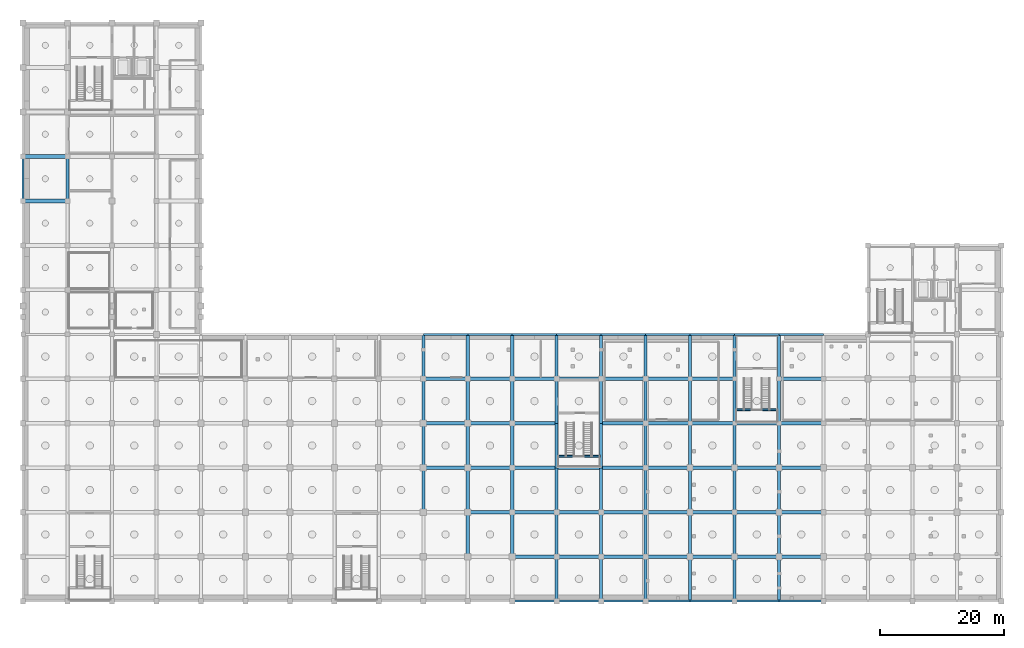
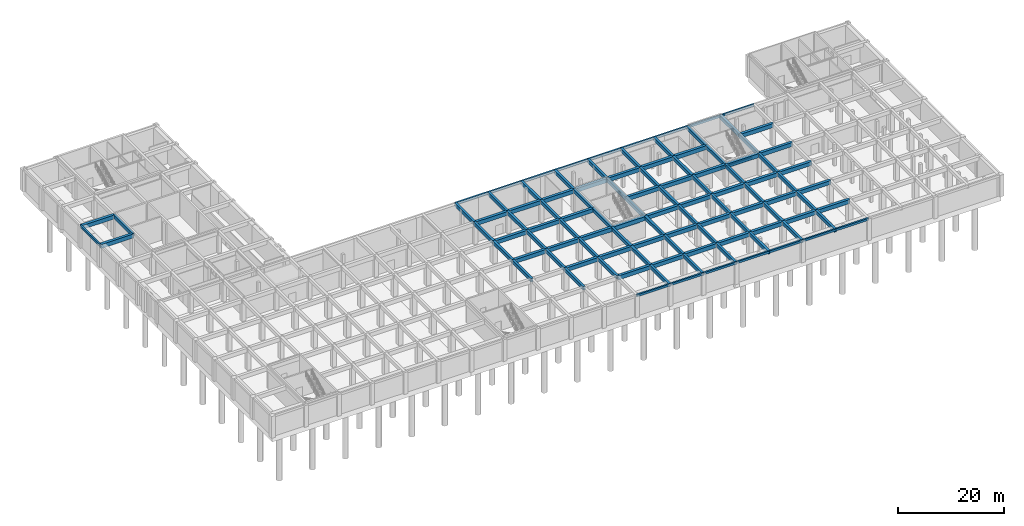
# One storey, part 4 of 15: 112 beams.
"""IFC4 building model written with IfcOpenShell, lengths in metres."""

from ifc_helpers import new_model, si_unit, direction, frame, origin, origin_2d, place, context, subcontext, project, spatial, rectangle, extrude, material, material_profile, profile_set, type_object, element, save


model = new_model("IFC4")

# Units and contexts
model_context = context("Model", 3, precision=1e-05, world=origin(), true_north=direction((0.0, 1.0)))
body_context = subcontext(model_context, "Body", "Model", "MODEL_VIEW")
ifc_project = project(units=[si_unit("LENGTHUNIT", "METRE"), si_unit("AREAUNIT", "SQUARE_METRE"), si_unit("VOLUMEUNIT", "CUBIC_METRE"), si_unit("PLANEANGLEUNIT", "RADIAN"), si_unit("MASSUNIT", "GRAM", prefix="KILO")], contexts=[model_context])

# Site, building, storey
site_placement = place(None, origin())
site = spatial("IfcSite", under=ifc_project, at=site_placement, CompositionType="ELEMENT")
building_placement = place(site_placement, origin())
building = spatial("IfcBuilding", under=site, at=building_placement, Name="Leyfeld Transit Interchange", CompositionType="ELEMENT")
storey_placement = place(building_placement, frame((0.0, 0.0, -10.800048828125)))
storey = spatial("IfcBuildingStorey", under=building, at=storey_placement, Name="B02", CompositionType="ELEMENT", Elevation=-10.800048828125)

# Beams
ifc_material = material(Name="Concrete C35/45", Category="concrete")
ifc_material_profile_1 = material_profile(ifc_material, rectangle(XDim=0.300048828125, YDim=0.39990234375, at=origin_2d()), Name="RC 400x300")
ifc_profile_set_1 = profile_set([ifc_material_profile_1], Name="Concrete C35/45")
beam_type_1 = type_object("IfcBeamType", Name="BM-RC-400x300", PredefinedType="LINTEL", material=ifc_profile_set_1)
beam_1_placement = place(storey_placement, frame((86.56005859375, 37.860107421875, 2.5), z_axis=(1.0, 0.0, 0.0), x_axis=(0.0, 1.0, 0.0)))
element("IfcBeam", 1, at=beam_1_placement, inside=storey, type_object=beam_type_1, Name="Stair ST-07 B02 Half-Landing Corbel", PredefinedType="LINTEL", context=body_context, shape_type="SweptSolid", body=[
    extrude(rectangle(XDim=0.300048828125, YDim=0.39990234375, at=origin_2d()), origin(), (0.0, 0.0, 1.0), 6.8798828125),
])
beam_2_placement = place(storey_placement, frame((115.385009765625, 45.39990234375, 2.5), z_axis=(1.0, 0.0, 0.0), x_axis=(0.0, 1.0, 0.0)))
element("IfcBeam", 2, at=beam_2_placement, inside=storey, type_object=beam_type_1, Name="Stair ST-09 B02 Half-Landing Corbel", PredefinedType="LINTEL", context=body_context, shape_type="SweptSolid", body=[
    extrude(rectangle(XDim=0.300048828125, YDim=0.39990234375, at=origin_2d()), origin(), (0.0, 0.0, 1.0), 6.830078125),
])
ifc_material_profile_2 = material_profile(ifc_material, rectangle(XDim=0.35009765625, YDim=0.5, at=origin_2d()), Name="RC 500x350")
ifc_profile_set_2 = profile_set([ifc_material_profile_2], Name="Concrete C35/45")
beam_type_2 = type_object("IfcBeamType", Name="BM-RC-500x350", PredefinedType="SPANDREL", material=ifc_profile_set_2)
beam_3_placement = place(storey_placement, frame((79.199951171875, 14.39990234375, 4.75), z_axis=(1.0, 0.0, 0.0), x_axis=(0.0, 1.0, 0.0)))
element("IfcBeam", 3, at=beam_3_placement, inside=storey, type_object=beam_type_2, Name="Beam BM-B02-0792_0144-0864_0144", PredefinedType="SPANDREL", context=body_context, shape_type="SweptSolid", body=[
    extrude(rectangle(XDim=0.35009765625, YDim=0.5, at=origin_2d()), origin(), (0.0, 0.0, 1.0), 7.199951171875),
])
beam_4_placement = place(storey_placement, frame((86.39990234375, 14.39990234375, 4.75), z_axis=(1.0, 0.0, 0.0), x_axis=(0.0, 1.0, 0.0)))
element("IfcBeam", 4, at=beam_4_placement, inside=storey, type_object=beam_type_2, Name="Beam BM-B02-0864_0144-0936_0144", PredefinedType="SPANDREL", context=body_context, shape_type="SweptSolid", body=[
    extrude(rectangle(XDim=0.35009765625, YDim=0.5, at=origin_2d()), origin(), (0.0, 0.0, 1.0), 7.2001953125),
])
for number, where, z_axis, x_axis, name in (
    (5, (93.60009765625, 14.39990234375, 4.75), (1.0, 0.0, 0.0), (0.0, 1.0, 0.0), "Beam BM-B02-0936_0144-1008_0144"),
    (6, (100.800048828125, 14.39990234375, 4.75), (1.0, 0.0, 0.0), (0.0, 1.0, 0.0), "Beam BM-B02-1008_0144-1080_0144"),
    (7, (108.0, 14.39990234375, 4.75), (1.0, 0.0, 0.0), (0.0, 1.0, 0.0), "Beam BM-B02-1080_0144-1152_0144"),
    (8, (115.199951171875, 14.39990234375, 4.75), (1.0, 0.0, 0.0), (0.0, 1.0, 0.0), "Beam BM-B02-1152_0144-1224_0144"),
):
    element("IfcBeam", number, at=place(storey_placement, frame(where, z_axis=z_axis, x_axis=x_axis)), inside=storey, type_object=beam_type_2, Name=name, PredefinedType="SPANDREL", context=body_context, shape_type="SweptSolid", body=[
        extrude(rectangle(XDim=0.35009765625, YDim=0.5, at=origin_2d()), origin(), (0.0, 0.0, 1.0), 7.199951171875),
    ])
beam_5_placement = place(storey_placement, frame((122.39990234375, 14.39990234375, 4.75), z_axis=(1.0, 0.0, 0.0), x_axis=(0.0, 1.0, 0.0)))
element("IfcBeam", 9, at=beam_5_placement, inside=storey, type_object=beam_type_2, Name="Beam BM-B02-1224_0144-1296_0144", PredefinedType="SPANDREL", context=body_context, shape_type="SweptSolid", body=[
    extrude(rectangle(XDim=0.35009765625, YDim=0.5, at=origin_2d()), origin(), (0.0, 0.0, 1.0), 7.2001953125),
])
for number, where, z_axis, x_axis, name in (
    (10, (64.800048828125, 57.60009765625, 4.75), (1.0, 0.0, 0.0), (0.0, 1.0, 0.0), "Beam BM-B02-0648_0576-0720_0576"),
    (11, (72.0, 57.60009765625, 4.75), (1.0, 0.0, 0.0), (0.0, 1.0, 0.0), "Beam BM-B02-0720_0576-0792_0576"),
    (12, (79.199951171875, 57.60009765625, 4.75), (1.0, 0.0, 0.0), (0.0, 1.0, 0.0), "Beam BM-B02-0792_0576-0864_0576"),
):
    element("IfcBeam", number, at=place(storey_placement, frame(where, z_axis=z_axis, x_axis=x_axis)), inside=storey, type_object=beam_type_2, Name=name, PredefinedType="SPANDREL", context=body_context, shape_type="SweptSolid", body=[
        extrude(rectangle(XDim=0.35009765625, YDim=0.5, at=origin_2d()), origin(), (0.0, 0.0, 1.0), 7.199951171875),
    ])
beam_6_placement = place(storey_placement, frame((86.39990234375, 57.60009765625, 4.75), z_axis=(1.0, 0.0, 0.0), x_axis=(0.0, 1.0, 0.0)))
element("IfcBeam", 13, at=beam_6_placement, inside=storey, type_object=beam_type_2, Name="Beam BM-B02-0864_0576-0936_0576", PredefinedType="SPANDREL", context=body_context, shape_type="SweptSolid", body=[
    extrude(rectangle(XDim=0.35009765625, YDim=0.5, at=origin_2d()), origin(), (0.0, 0.0, 1.0), 7.2001953125),
])
for number, where, z_axis, x_axis, name in (
    (14, (93.60009765625, 57.60009765625, 4.75), (1.0, 0.0, 0.0), (0.0, 1.0, 0.0), "Beam BM-B02-0936_0576-1008_0576"),
    (15, (100.800048828125, 57.60009765625, 4.75), (1.0, 0.0, 0.0), (0.0, 1.0, 0.0), "Beam BM-B02-1008_0576-1080_0576"),
    (16, (108.0, 57.60009765625, 4.75), (1.0, 0.0, 0.0), (0.0, 1.0, 0.0), "Beam BM-B02-1080_0576-1152_0576"),
    (17, (115.199951171875, 57.60009765625, 4.75), (1.0, 0.0, 0.0), (0.0, 1.0, 0.0), "Beam BM-B02-1152_0576-1224_0576"),
):
    element("IfcBeam", number, at=place(storey_placement, frame(where, z_axis=z_axis, x_axis=x_axis)), inside=storey, type_object=beam_type_2, Name=name, PredefinedType="SPANDREL", context=body_context, shape_type="SweptSolid", body=[
        extrude(rectangle(XDim=0.35009765625, YDim=0.5, at=origin_2d()), origin(), (0.0, 0.0, 1.0), 7.199951171875),
    ])
beam_7_placement = place(storey_placement, frame((122.39990234375, 57.60009765625, 4.75), z_axis=(1.0, 0.0, 0.0), x_axis=(0.0, 1.0, 0.0)))
element("IfcBeam", 18, at=beam_7_placement, inside=storey, type_object=beam_type_2, Name="Beam BM-B02-1224_0576-1296_0576", PredefinedType="SPANDREL", context=body_context, shape_type="SweptSolid", body=[
    extrude(rectangle(XDim=0.35009765625, YDim=0.5, at=origin_2d()), origin(), (0.0, 0.0, 1.0), 7.2001953125),
])
beam_8_placement = place(storey_placement, frame((0.0, 79.199951171875, 4.77001953125), z_axis=(0.0, 1.0, 0.0), x_axis=(-1.0, 0.0, 0.0)))
element("IfcBeam", 19, at=beam_8_placement, inside=storey, type_object=beam_type_2, Name="Beam BM-B02-0000_0792-0000_0864", PredefinedType="SPANDREL", context=body_context, shape_type="SweptSolid", body=[
    extrude(rectangle(XDim=0.35009765625, YDim=0.5, at=origin_2d()), origin(), (0.0, 0.0, 1.0), 7.199951171875),
])
ifc_material_profile_3 = material_profile(ifc_material, rectangle(XDim=0.5, YDim=0.800048828125, at=origin_2d()), Name="RC 800x500")
ifc_profile_set_3 = profile_set([ifc_material_profile_3], Name="Concrete C35/45")
beam_type_3 = type_object("IfcBeamType", Name="BM-RC-800x500", PredefinedType="JOIST", material=ifc_profile_set_3)
for number, where, z_axis, x_axis, name in (
    (20, (64.800048828125, 28.800048828125, 4.60009765625), (0.0, 1.0, 0.0), (-1.0, 0.0, 0.0), "Beam BM-B02-0648_0288-0648_0360"),
    (21, (64.800048828125, 36.0, 4.60009765625), (0.0, 1.0, 0.0), (-1.0, 0.0, 0.0), "Beam BM-B02-0648_0360-0648_0432"),
    (22, (64.800048828125, 43.199951171875, 4.60009765625), (0.0, 1.0, 0.0), (-1.0, 0.0, 0.0), "Beam BM-B02-0648_0432-0648_0504"),
):
    element("IfcBeam", number, at=place(storey_placement, frame(where, z_axis=z_axis, x_axis=x_axis)), inside=storey, type_object=beam_type_3, Name=name, PredefinedType="JOIST", context=body_context, shape_type="SweptSolid", body=[
        extrude(rectangle(XDim=0.5, YDim=0.800048828125, at=origin_2d()), origin(), (0.0, 0.0, 1.0), 7.199951171875),
    ])
beam_9_placement = place(storey_placement, frame((64.800048828125, 50.39990234375, 4.60009765625), z_axis=(0.0, 1.0, 0.0), x_axis=(-1.0, 0.0, 0.0)))
element("IfcBeam", 23, at=beam_9_placement, inside=storey, type_object=beam_type_3, Name="Beam BM-B02-0648_0504-0648_0576", PredefinedType="JOIST", context=body_context, shape_type="SweptSolid", body=[
    extrude(rectangle(XDim=0.5, YDim=0.800048828125, at=origin_2d()), origin(), (0.0, 0.0, 1.0), 7.2001953125),
])
for number, where, z_axis, x_axis, name in (
    (24, (72.0, 21.60009765625, 4.60009765625), (0.0, 1.0, 0.0), (-1.0, 0.0, 0.0), "Beam BM-B02-0720_0216-0720_0288"),
    (25, (72.0, 28.800048828125, 4.60009765625), (0.0, 1.0, 0.0), (-1.0, 0.0, 0.0), "Beam BM-B02-0720_0288-0720_0360"),
    (26, (72.0, 36.0, 4.60009765625), (0.0, 1.0, 0.0), (-1.0, 0.0, 0.0), "Beam BM-B02-0720_0360-0720_0432"),
    (27, (72.0, 43.199951171875, 4.60009765625), (0.0, 1.0, 0.0), (-1.0, 0.0, 0.0), "Beam BM-B02-0720_0432-0720_0504"),
):
    element("IfcBeam", number, at=place(storey_placement, frame(where, z_axis=z_axis, x_axis=x_axis)), inside=storey, type_object=beam_type_3, Name=name, PredefinedType="JOIST", context=body_context, shape_type="SweptSolid", body=[
        extrude(rectangle(XDim=0.5, YDim=0.800048828125, at=origin_2d()), origin(), (0.0, 0.0, 1.0), 7.199951171875),
    ])
beam_10_placement = place(storey_placement, frame((72.0, 50.39990234375, 4.60009765625), z_axis=(0.0, 1.0, 0.0), x_axis=(-1.0, 0.0, 0.0)))
element("IfcBeam", 28, at=beam_10_placement, inside=storey, type_object=beam_type_3, Name="Beam BM-B02-0720_0504-0720_0576", PredefinedType="JOIST", context=body_context, shape_type="SweptSolid", body=[
    extrude(rectangle(XDim=0.5, YDim=0.800048828125, at=origin_2d()), origin(), (0.0, 0.0, 1.0), 7.2001953125),
])
for number, where, z_axis, x_axis, name in (
    (29, (79.199951171875, 21.60009765625, 4.60009765625), (0.0, 1.0, 0.0), (-1.0, 0.0, 0.0), "Beam BM-B02-0792_0216-0792_0288"),
    (30, (79.199951171875, 28.800048828125, 4.60009765625), (0.0, 1.0, 0.0), (-1.0, 0.0, 0.0), "Beam BM-B02-0792_0288-0792_0360"),
    (31, (79.199951171875, 36.0, 4.60009765625), (0.0, 1.0, 0.0), (-1.0, 0.0, 0.0), "Beam BM-B02-0792_0360-0792_0432"),
    (32, (79.199951171875, 43.199951171875, 4.60009765625), (0.0, 1.0, 0.0), (-1.0, 0.0, 0.0), "Beam BM-B02-0792_0432-0792_0504"),
):
    element("IfcBeam", number, at=place(storey_placement, frame(where, z_axis=z_axis, x_axis=x_axis)), inside=storey, type_object=beam_type_3, Name=name, PredefinedType="JOIST", context=body_context, shape_type="SweptSolid", body=[
        extrude(rectangle(XDim=0.5, YDim=0.800048828125, at=origin_2d()), origin(), (0.0, 0.0, 1.0), 7.199951171875),
    ])
for number, where, z_axis, x_axis, name in (
    (33, (79.199951171875, 50.39990234375, 4.60009765625), (0.0, 1.0, 0.0), (-1.0, 0.0, 0.0), "Beam BM-B02-0792_0504-0792_0576"),
    (34, (86.39990234375, 14.39990234375, 4.60009765625), (0.0, 1.0, 0.0), (-1.0, 0.0, 0.0), "Beam BM-B02-0864_0144-0864_0216"),
):
    element("IfcBeam", number, at=place(storey_placement, frame(where, z_axis=z_axis, x_axis=x_axis)), inside=storey, type_object=beam_type_3, Name=name, PredefinedType="JOIST", context=body_context, shape_type="SweptSolid", body=[
        extrude(rectangle(XDim=0.5, YDim=0.800048828125, at=origin_2d()), origin(), (0.0, 0.0, 1.0), 7.2001953125),
    ])
for number, where, z_axis, x_axis, name in (
    (35, (86.39990234375, 21.60009765625, 4.60009765625), (0.0, 1.0, 0.0), (-1.0, 0.0, 0.0), "Beam BM-B02-0864_0216-0864_0288"),
    (36, (86.39990234375, 28.800048828125, 4.60009765625), (0.0, 1.0, 0.0), (-1.0, 0.0, 0.0), "Beam BM-B02-0864_0288-0864_0360"),
    (37, (86.39990234375, 36.0, 4.60009765625), (0.0, 1.0, 0.0), (-1.0, 0.0, 0.0), "Beam BM-B02-0864_0360-0864_0432"),
    (38, (86.39990234375, 43.199951171875, 4.60009765625), (0.0, 1.0, 0.0), (-1.0, 0.0, 0.0), "Beam BM-B02-0864_0432-0864_0504"),
):
    element("IfcBeam", number, at=place(storey_placement, frame(where, z_axis=z_axis, x_axis=x_axis)), inside=storey, type_object=beam_type_3, Name=name, PredefinedType="JOIST", context=body_context, shape_type="SweptSolid", body=[
        extrude(rectangle(XDim=0.5, YDim=0.800048828125, at=origin_2d()), origin(), (0.0, 0.0, 1.0), 7.199951171875),
    ])
for number, where, z_axis, x_axis, name in (
    (39, (86.39990234375, 50.39990234375, 4.60009765625), (0.0, 1.0, 0.0), (-1.0, 0.0, 0.0), "Beam BM-B02-0864_0504-0864_0576"),
    (40, (93.60009765625, 14.39990234375, 4.60009765625), (0.0, 1.0, 0.0), (-1.0, 0.0, 0.0), "Beam BM-B02-0936_0144-0936_0216"),
):
    element("IfcBeam", number, at=place(storey_placement, frame(where, z_axis=z_axis, x_axis=x_axis)), inside=storey, type_object=beam_type_3, Name=name, PredefinedType="JOIST", context=body_context, shape_type="SweptSolid", body=[
        extrude(rectangle(XDim=0.5, YDim=0.800048828125, at=origin_2d()), origin(), (0.0, 0.0, 1.0), 7.2001953125),
    ])
for number, where, z_axis, x_axis, name in (
    (41, (93.60009765625, 21.60009765625, 4.60009765625), (0.0, 1.0, 0.0), (-1.0, 0.0, 0.0), "Beam BM-B02-0936_0216-0936_0288"),
    (42, (93.60009765625, 28.800048828125, 4.60009765625), (0.0, 1.0, 0.0), (-1.0, 0.0, 0.0), "Beam BM-B02-0936_0288-0936_0360"),
    (43, (93.60009765625, 36.0, 4.60009765625), (0.0, 1.0, 0.0), (-1.0, 0.0, 0.0), "Beam BM-B02-0936_0360-0936_0432"),
    (44, (93.60009765625, 43.199951171875, 4.60009765625), (0.0, 1.0, 0.0), (-1.0, 0.0, 0.0), "Beam BM-B02-0936_0432-0936_0504"),
):
    element("IfcBeam", number, at=place(storey_placement, frame(where, z_axis=z_axis, x_axis=x_axis)), inside=storey, type_object=beam_type_3, Name=name, PredefinedType="JOIST", context=body_context, shape_type="SweptSolid", body=[
        extrude(rectangle(XDim=0.5, YDim=0.800048828125, at=origin_2d()), origin(), (0.0, 0.0, 1.0), 7.199951171875),
    ])
for number, where, z_axis, x_axis, name in (
    (45, (93.60009765625, 50.39990234375, 4.60009765625), (0.0, 1.0, 0.0), (-1.0, 0.0, 0.0), "Beam BM-B02-0936_0504-0936_0576"),
    (46, (100.800048828125, 14.39990234375, 4.60009765625), (0.0, 1.0, 0.0), (-1.0, 0.0, 0.0), "Beam BM-B02-1008_0144-1008_0216"),
):
    element("IfcBeam", number, at=place(storey_placement, frame(where, z_axis=z_axis, x_axis=x_axis)), inside=storey, type_object=beam_type_3, Name=name, PredefinedType="JOIST", context=body_context, shape_type="SweptSolid", body=[
        extrude(rectangle(XDim=0.5, YDim=0.800048828125, at=origin_2d()), origin(), (0.0, 0.0, 1.0), 7.2001953125),
    ])
for number, where, z_axis, x_axis, name in (
    (47, (100.800048828125, 21.60009765625, 4.60009765625), (0.0, 1.0, 0.0), (-1.0, 0.0, 0.0), "Beam BM-B02-1008_0216-1008_0288"),
    (48, (100.800048828125, 28.800048828125, 4.60009765625), (0.0, 1.0, 0.0), (-1.0, 0.0, 0.0), "Beam BM-B02-1008_0288-1008_0360"),
    (49, (100.800048828125, 36.0, 4.60009765625), (0.0, 1.0, 0.0), (-1.0, 0.0, 0.0), "Beam BM-B02-1008_0360-1008_0432"),
    (50, (100.800048828125, 43.199951171875, 4.60009765625), (0.0, 1.0, 0.0), (-1.0, 0.0, 0.0), "Beam BM-B02-1008_0432-1008_0504"),
):
    element("IfcBeam", number, at=place(storey_placement, frame(where, z_axis=z_axis, x_axis=x_axis)), inside=storey, type_object=beam_type_3, Name=name, PredefinedType="JOIST", context=body_context, shape_type="SweptSolid", body=[
        extrude(rectangle(XDim=0.5, YDim=0.800048828125, at=origin_2d()), origin(), (0.0, 0.0, 1.0), 7.199951171875),
    ])
for number, where, z_axis, x_axis, name in (
    (51, (100.800048828125, 50.39990234375, 4.60009765625), (0.0, 1.0, 0.0), (-1.0, 0.0, 0.0), "Beam BM-B02-1008_0504-1008_0576"),
    (52, (108.0, 14.39990234375, 4.60009765625), (0.0, 1.0, 0.0), (-1.0, 0.0, 0.0), "Beam BM-B02-1080_0144-1080_0216"),
):
    element("IfcBeam", number, at=place(storey_placement, frame(where, z_axis=z_axis, x_axis=x_axis)), inside=storey, type_object=beam_type_3, Name=name, PredefinedType="JOIST", context=body_context, shape_type="SweptSolid", body=[
        extrude(rectangle(XDim=0.5, YDim=0.800048828125, at=origin_2d()), origin(), (0.0, 0.0, 1.0), 7.2001953125),
    ])
for number, where, z_axis, x_axis, name in (
    (53, (108.0, 21.60009765625, 4.60009765625), (0.0, 1.0, 0.0), (-1.0, 0.0, 0.0), "Beam BM-B02-1080_0216-1080_0288"),
    (54, (108.0, 28.800048828125, 4.60009765625), (0.0, 1.0, 0.0), (-1.0, 0.0, 0.0), "Beam BM-B02-1080_0288-1080_0360"),
    (55, (108.0, 36.0, 4.60009765625), (0.0, 1.0, 0.0), (-1.0, 0.0, 0.0), "Beam BM-B02-1080_0360-1080_0432"),
    (56, (108.0, 43.199951171875, 4.60009765625), (0.0, 1.0, 0.0), (-1.0, 0.0, 0.0), "Beam BM-B02-1080_0432-1080_0504"),
):
    element("IfcBeam", number, at=place(storey_placement, frame(where, z_axis=z_axis, x_axis=x_axis)), inside=storey, type_object=beam_type_3, Name=name, PredefinedType="JOIST", context=body_context, shape_type="SweptSolid", body=[
        extrude(rectangle(XDim=0.5, YDim=0.800048828125, at=origin_2d()), origin(), (0.0, 0.0, 1.0), 7.199951171875),
    ])
for number, where, z_axis, x_axis, name in (
    (57, (108.0, 50.39990234375, 4.60009765625), (0.0, 1.0, 0.0), (-1.0, 0.0, 0.0), "Beam BM-B02-1080_0504-1080_0576"),
    (58, (115.199951171875, 14.39990234375, 4.60009765625), (0.0, 1.0, 0.0), (-1.0, 0.0, 0.0), "Beam BM-B02-1152_0144-1152_0216"),
):
    element("IfcBeam", number, at=place(storey_placement, frame(where, z_axis=z_axis, x_axis=x_axis)), inside=storey, type_object=beam_type_3, Name=name, PredefinedType="JOIST", context=body_context, shape_type="SweptSolid", body=[
        extrude(rectangle(XDim=0.5, YDim=0.800048828125, at=origin_2d()), origin(), (0.0, 0.0, 1.0), 7.2001953125),
    ])
for number, where, z_axis, x_axis, name in (
    (59, (115.199951171875, 21.60009765625, 4.60009765625), (0.0, 1.0, 0.0), (-1.0, 0.0, 0.0), "Beam BM-B02-1152_0216-1152_0288"),
    (60, (115.199951171875, 28.800048828125, 4.60009765625), (0.0, 1.0, 0.0), (-1.0, 0.0, 0.0), "Beam BM-B02-1152_0288-1152_0360"),
    (61, (115.199951171875, 36.0, 4.60009765625), (0.0, 1.0, 0.0), (-1.0, 0.0, 0.0), "Beam BM-B02-1152_0360-1152_0432"),
    (62, (115.199951171875, 43.199951171875, 4.60009765625), (0.0, 1.0, 0.0), (-1.0, 0.0, 0.0), "Beam BM-B02-1152_0432-1152_0504"),
):
    element("IfcBeam", number, at=place(storey_placement, frame(where, z_axis=z_axis, x_axis=x_axis)), inside=storey, type_object=beam_type_3, Name=name, PredefinedType="JOIST", context=body_context, shape_type="SweptSolid", body=[
        extrude(rectangle(XDim=0.5, YDim=0.800048828125, at=origin_2d()), origin(), (0.0, 0.0, 1.0), 7.199951171875),
    ])
for number, where, z_axis, x_axis, name in (
    (63, (115.199951171875, 50.39990234375, 4.60009765625), (0.0, 1.0, 0.0), (-1.0, 0.0, 0.0), "Beam BM-B02-1152_0504-1152_0576"),
    (64, (122.39990234375, 14.39990234375, 4.60009765625), (0.0, 1.0, 0.0), (-1.0, 0.0, 0.0), "Beam BM-B02-1224_0144-1224_0216"),
):
    element("IfcBeam", number, at=place(storey_placement, frame(where, z_axis=z_axis, x_axis=x_axis)), inside=storey, type_object=beam_type_3, Name=name, PredefinedType="JOIST", context=body_context, shape_type="SweptSolid", body=[
        extrude(rectangle(XDim=0.5, YDim=0.800048828125, at=origin_2d()), origin(), (0.0, 0.0, 1.0), 7.2001953125),
    ])
for number, where, z_axis, x_axis, name in (
    (65, (122.39990234375, 21.60009765625, 4.60009765625), (0.0, 1.0, 0.0), (-1.0, 0.0, 0.0), "Beam BM-B02-1224_0216-1224_0288"),
    (66, (122.39990234375, 28.800048828125, 4.60009765625), (0.0, 1.0, 0.0), (-1.0, 0.0, 0.0), "Beam BM-B02-1224_0288-1224_0360"),
    (67, (122.39990234375, 36.0, 4.60009765625), (0.0, 1.0, 0.0), (-1.0, 0.0, 0.0), "Beam BM-B02-1224_0360-1224_0432"),
    (68, (122.39990234375, 43.199951171875, 4.60009765625), (0.0, 1.0, 0.0), (-1.0, 0.0, 0.0), "Beam BM-B02-1224_0432-1224_0504"),
):
    element("IfcBeam", number, at=place(storey_placement, frame(where, z_axis=z_axis, x_axis=x_axis)), inside=storey, type_object=beam_type_3, Name=name, PredefinedType="JOIST", context=body_context, shape_type="SweptSolid", body=[
        extrude(rectangle(XDim=0.5, YDim=0.800048828125, at=origin_2d()), origin(), (0.0, 0.0, 1.0), 7.199951171875),
    ])
beam_11_placement = place(storey_placement, frame((122.39990234375, 50.39990234375, 4.60009765625), z_axis=(0.0, 1.0, 0.0), x_axis=(-1.0, 0.0, 0.0)))
element("IfcBeam", 69, at=beam_11_placement, inside=storey, type_object=beam_type_3, Name="Beam BM-B02-1224_0504-1224_0576", PredefinedType="JOIST", context=body_context, shape_type="SweptSolid", body=[
    extrude(rectangle(XDim=0.5, YDim=0.800048828125, at=origin_2d()), origin(), (0.0, 0.0, 1.0), 7.2001953125),
])
beam_12_placement = place(storey_placement, frame((7.199951171875, 79.199951171875, 4.6201171875), z_axis=(0.0, 1.0, 0.0), x_axis=(-1.0, 0.0, 0.0)))
element("IfcBeam", 70, at=beam_12_placement, inside=storey, type_object=beam_type_3, Name="Beam BM-B02-0072_0792-0072_0864", PredefinedType="JOIST", context=body_context, shape_type="SweptSolid", body=[
    extrude(rectangle(XDim=0.5, YDim=0.800048828125, at=origin_2d()), origin(), (0.0, 0.0, 1.0), 7.199951171875),
])
ifc_material_profile_4 = material_profile(ifc_material, rectangle(XDim=0.60009765625, YDim=0.89990234375, at=origin_2d()), Name="RC 900x600")
ifc_profile_set_4 = profile_set([ifc_material_profile_4], Name="Concrete C35/45")
beam_type_4 = type_object("IfcBeamType", Name="BM-RC-900x600", PredefinedType="JOIST", material=ifc_profile_set_4)
beam_13_placement = place(storey_placement, frame((79.199951171875, 21.60009765625, 4.550048828125), z_axis=(1.0, 0.0, 0.0), x_axis=(0.0, 1.0, 0.0)))
element("IfcBeam", 71, at=beam_13_placement, inside=storey, type_object=beam_type_4, Name="Beam BM-B02-0792_0216-0864_0216", PredefinedType="JOIST", context=body_context, shape_type="SweptSolid", body=[
    extrude(rectangle(XDim=0.60009765625, YDim=0.89990234375, at=origin_2d()), origin(), (0.0, 0.0, 1.0), 7.199951171875),
])
beam_14_placement = place(storey_placement, frame((86.39990234375, 21.60009765625, 4.550048828125), z_axis=(1.0, 0.0, 0.0), x_axis=(0.0, 1.0, 0.0)))
element("IfcBeam", 72, at=beam_14_placement, inside=storey, type_object=beam_type_4, Name="Beam BM-B02-0864_0216-0936_0216", PredefinedType="JOIST", context=body_context, shape_type="SweptSolid", body=[
    extrude(rectangle(XDim=0.60009765625, YDim=0.89990234375, at=origin_2d()), origin(), (0.0, 0.0, 1.0), 7.2001953125),
])
for number, where, z_axis, x_axis, name in (
    (73, (93.60009765625, 21.60009765625, 4.550048828125), (1.0, 0.0, 0.0), (0.0, 1.0, 0.0), "Beam BM-B02-0936_0216-1008_0216"),
    (74, (100.800048828125, 21.60009765625, 4.550048828125), (1.0, 0.0, 0.0), (0.0, 1.0, 0.0), "Beam BM-B02-1008_0216-1080_0216"),
    (75, (108.0, 21.60009765625, 4.550048828125), (1.0, 0.0, 0.0), (0.0, 1.0, 0.0), "Beam BM-B02-1080_0216-1152_0216"),
    (76, (115.199951171875, 21.60009765625, 4.550048828125), (1.0, 0.0, 0.0), (0.0, 1.0, 0.0), "Beam BM-B02-1152_0216-1224_0216"),
):
    element("IfcBeam", number, at=place(storey_placement, frame(where, z_axis=z_axis, x_axis=x_axis)), inside=storey, type_object=beam_type_4, Name=name, PredefinedType="JOIST", context=body_context, shape_type="SweptSolid", body=[
        extrude(rectangle(XDim=0.60009765625, YDim=0.89990234375, at=origin_2d()), origin(), (0.0, 0.0, 1.0), 7.199951171875),
    ])
beam_15_placement = place(storey_placement, frame((122.39990234375, 21.60009765625, 4.550048828125), z_axis=(1.0, 0.0, 0.0), x_axis=(0.0, 1.0, 0.0)))
element("IfcBeam", 77, at=beam_15_placement, inside=storey, type_object=beam_type_4, Name="Beam BM-B02-1224_0216-1296_0216", PredefinedType="JOIST", context=body_context, shape_type="SweptSolid", body=[
    extrude(rectangle(XDim=0.60009765625, YDim=0.89990234375, at=origin_2d()), origin(), (0.0, 0.0, 1.0), 7.2001953125),
])
for number, where, z_axis, x_axis, name in (
    (78, (72.0, 28.800048828125, 4.550048828125), (1.0, 0.0, 0.0), (0.0, 1.0, 0.0), "Beam BM-B02-0720_0288-0792_0288"),
    (79, (79.199951171875, 28.800048828125, 4.550048828125), (1.0, 0.0, 0.0), (0.0, 1.0, 0.0), "Beam BM-B02-0792_0288-0864_0288"),
):
    element("IfcBeam", number, at=place(storey_placement, frame(where, z_axis=z_axis, x_axis=x_axis)), inside=storey, type_object=beam_type_4, Name=name, PredefinedType="JOIST", context=body_context, shape_type="SweptSolid", body=[
        extrude(rectangle(XDim=0.60009765625, YDim=0.89990234375, at=origin_2d()), origin(), (0.0, 0.0, 1.0), 7.199951171875),
    ])
beam_16_placement = place(storey_placement, frame((86.39990234375, 28.800048828125, 4.550048828125), z_axis=(1.0, 0.0, 0.0), x_axis=(0.0, 1.0, 0.0)))
element("IfcBeam", 80, at=beam_16_placement, inside=storey, type_object=beam_type_4, Name="Beam BM-B02-0864_0288-0936_0288", PredefinedType="JOIST", context=body_context, shape_type="SweptSolid", body=[
    extrude(rectangle(XDim=0.60009765625, YDim=0.89990234375, at=origin_2d()), origin(), (0.0, 0.0, 1.0), 7.2001953125),
])
for number, where, z_axis, x_axis, name in (
    (81, (93.60009765625, 28.800048828125, 4.550048828125), (1.0, 0.0, 0.0), (0.0, 1.0, 0.0), "Beam BM-B02-0936_0288-1008_0288"),
    (82, (100.800048828125, 28.800048828125, 4.550048828125), (1.0, 0.0, 0.0), (0.0, 1.0, 0.0), "Beam BM-B02-1008_0288-1080_0288"),
    (83, (108.0, 28.800048828125, 4.550048828125), (1.0, 0.0, 0.0), (0.0, 1.0, 0.0), "Beam BM-B02-1080_0288-1152_0288"),
    (84, (115.199951171875, 28.800048828125, 4.550048828125), (1.0, 0.0, 0.0), (0.0, 1.0, 0.0), "Beam BM-B02-1152_0288-1224_0288"),
):
    element("IfcBeam", number, at=place(storey_placement, frame(where, z_axis=z_axis, x_axis=x_axis)), inside=storey, type_object=beam_type_4, Name=name, PredefinedType="JOIST", context=body_context, shape_type="SweptSolid", body=[
        extrude(rectangle(XDim=0.60009765625, YDim=0.89990234375, at=origin_2d()), origin(), (0.0, 0.0, 1.0), 7.199951171875),
    ])
beam_17_placement = place(storey_placement, frame((122.39990234375, 28.800048828125, 4.550048828125), z_axis=(1.0, 0.0, 0.0), x_axis=(0.0, 1.0, 0.0)))
element("IfcBeam", 85, at=beam_17_placement, inside=storey, type_object=beam_type_4, Name="Beam BM-B02-1224_0288-1296_0288", PredefinedType="JOIST", context=body_context, shape_type="SweptSolid", body=[
    extrude(rectangle(XDim=0.60009765625, YDim=0.89990234375, at=origin_2d()), origin(), (0.0, 0.0, 1.0), 7.2001953125),
])
for number, where, z_axis, x_axis, name in (
    (86, (64.800048828125, 36.0, 4.550048828125), (1.0, 0.0, 0.0), (0.0, 1.0, 0.0), "Beam BM-B02-0648_0360-0720_0360"),
    (87, (72.0, 36.0, 4.550048828125), (1.0, 0.0, 0.0), (0.0, 1.0, 0.0), "Beam BM-B02-0720_0360-0792_0360"),
    (88, (79.199951171875, 36.0, 4.550048828125), (1.0, 0.0, 0.0), (0.0, 1.0, 0.0), "Beam BM-B02-0792_0360-0864_0360"),
):
    element("IfcBeam", number, at=place(storey_placement, frame(where, z_axis=z_axis, x_axis=x_axis)), inside=storey, type_object=beam_type_4, Name=name, PredefinedType="JOIST", context=body_context, shape_type="SweptSolid", body=[
        extrude(rectangle(XDim=0.60009765625, YDim=0.89990234375, at=origin_2d()), origin(), (0.0, 0.0, 1.0), 7.199951171875),
    ])
beam_18_placement = place(storey_placement, frame((86.39990234375, 36.0, 4.550048828125), z_axis=(1.0, 0.0, 0.0), x_axis=(0.0, 1.0, 0.0)))
element("IfcBeam", 89, at=beam_18_placement, inside=storey, type_object=beam_type_4, Name="Beam BM-B02-0864_0360-0936_0360", PredefinedType="JOIST", context=body_context, shape_type="SweptSolid", body=[
    extrude(rectangle(XDim=0.60009765625, YDim=0.89990234375, at=origin_2d()), origin(), (0.0, 0.0, 1.0), 7.2001953125),
])
for number, where, z_axis, x_axis, name in (
    (90, (93.60009765625, 36.0, 4.550048828125), (1.0, 0.0, 0.0), (0.0, 1.0, 0.0), "Beam BM-B02-0936_0360-1008_0360"),
    (91, (100.800048828125, 36.0, 4.550048828125), (1.0, 0.0, 0.0), (0.0, 1.0, 0.0), "Beam BM-B02-1008_0360-1080_0360"),
    (92, (108.0, 36.0, 4.550048828125), (1.0, 0.0, 0.0), (0.0, 1.0, 0.0), "Beam BM-B02-1080_0360-1152_0360"),
    (93, (115.199951171875, 36.0, 4.550048828125), (1.0, 0.0, 0.0), (0.0, 1.0, 0.0), "Beam BM-B02-1152_0360-1224_0360"),
):
    element("IfcBeam", number, at=place(storey_placement, frame(where, z_axis=z_axis, x_axis=x_axis)), inside=storey, type_object=beam_type_4, Name=name, PredefinedType="JOIST", context=body_context, shape_type="SweptSolid", body=[
        extrude(rectangle(XDim=0.60009765625, YDim=0.89990234375, at=origin_2d()), origin(), (0.0, 0.0, 1.0), 7.199951171875),
    ])
beam_19_placement = place(storey_placement, frame((122.39990234375, 36.0, 4.550048828125), z_axis=(1.0, 0.0, 0.0), x_axis=(0.0, 1.0, 0.0)))
element("IfcBeam", 94, at=beam_19_placement, inside=storey, type_object=beam_type_4, Name="Beam BM-B02-1224_0360-1296_0360", PredefinedType="JOIST", context=body_context, shape_type="SweptSolid", body=[
    extrude(rectangle(XDim=0.60009765625, YDim=0.89990234375, at=origin_2d()), origin(), (0.0, 0.0, 1.0), 7.2001953125),
])
for number, where, z_axis, x_axis, name in (
    (95, (64.800048828125, 43.199951171875, 4.550048828125), (1.0, 0.0, 0.0), (0.0, 1.0, 0.0), "Beam BM-B02-0648_0432-0720_0432"),
    (96, (72.0, 43.199951171875, 4.550048828125), (1.0, 0.0, 0.0), (0.0, 1.0, 0.0), "Beam BM-B02-0720_0432-0792_0432"),
    (97, (79.199951171875, 43.199951171875, 4.550048828125), (1.0, 0.0, 0.0), (0.0, 1.0, 0.0), "Beam BM-B02-0792_0432-0864_0432"),
    (98, (93.60009765625, 43.199951171875, 4.550048828125), (1.0, 0.0, 0.0), (0.0, 1.0, 0.0), "Beam BM-B02-0936_0432-1008_0432"),
    (99, (100.800048828125, 43.199951171875, 4.550048828125), (1.0, 0.0, 0.0), (0.0, 1.0, 0.0), "Beam BM-B02-1008_0432-1080_0432"),
    (100, (108.0, 43.199951171875, 4.550048828125), (1.0, 0.0, 0.0), (0.0, 1.0, 0.0), "Beam BM-B02-1080_0432-1152_0432"),
    (101, (115.199951171875, 43.199951171875, 4.550048828125), (1.0, 0.0, 0.0), (0.0, 1.0, 0.0), "Beam BM-B02-1152_0432-1224_0432"),
):
    element("IfcBeam", number, at=place(storey_placement, frame(where, z_axis=z_axis, x_axis=x_axis)), inside=storey, type_object=beam_type_4, Name=name, PredefinedType="JOIST", context=body_context, shape_type="SweptSolid", body=[
        extrude(rectangle(XDim=0.60009765625, YDim=0.89990234375, at=origin_2d()), origin(), (0.0, 0.0, 1.0), 7.199951171875),
    ])
beam_20_placement = place(storey_placement, frame((122.39990234375, 43.199951171875, 4.550048828125), z_axis=(1.0, 0.0, 0.0), x_axis=(0.0, 1.0, 0.0)))
element("IfcBeam", 102, at=beam_20_placement, inside=storey, type_object=beam_type_4, Name="Beam BM-B02-1224_0432-1296_0432", PredefinedType="JOIST", context=body_context, shape_type="SweptSolid", body=[
    extrude(rectangle(XDim=0.60009765625, YDim=0.89990234375, at=origin_2d()), origin(), (0.0, 0.0, 1.0), 7.2001953125),
])
for number, where, z_axis, x_axis, name in (
    (103, (64.800048828125, 50.39990234375, 4.550048828125), (1.0, 0.0, 0.0), (0.0, 1.0, 0.0), "Beam BM-B02-0648_0504-0720_0504"),
    (104, (72.0, 50.39990234375, 4.550048828125), (1.0, 0.0, 0.0), (0.0, 1.0, 0.0), "Beam BM-B02-0720_0504-0792_0504"),
    (105, (79.199951171875, 50.39990234375, 4.550048828125), (1.0, 0.0, 0.0), (0.0, 1.0, 0.0), "Beam BM-B02-0792_0504-0864_0504"),
):
    element("IfcBeam", number, at=place(storey_placement, frame(where, z_axis=z_axis, x_axis=x_axis)), inside=storey, type_object=beam_type_4, Name=name, PredefinedType="JOIST", context=body_context, shape_type="SweptSolid", body=[
        extrude(rectangle(XDim=0.60009765625, YDim=0.89990234375, at=origin_2d()), origin(), (0.0, 0.0, 1.0), 7.199951171875),
    ])
beam_21_placement = place(storey_placement, frame((86.39990234375, 50.39990234375, 4.550048828125), z_axis=(1.0, 0.0, 0.0), x_axis=(0.0, 1.0, 0.0)))
element("IfcBeam", 106, at=beam_21_placement, inside=storey, type_object=beam_type_4, Name="Beam BM-B02-0864_0504-0936_0504", PredefinedType="JOIST", context=body_context, shape_type="SweptSolid", body=[
    extrude(rectangle(XDim=0.60009765625, YDim=0.89990234375, at=origin_2d()), origin(), (0.0, 0.0, 1.0), 7.2001953125),
])
for number, where, z_axis, x_axis, name in (
    (107, (93.60009765625, 50.39990234375, 4.550048828125), (1.0, 0.0, 0.0), (0.0, 1.0, 0.0), "Beam BM-B02-0936_0504-1008_0504"),
    (108, (100.800048828125, 50.39990234375, 4.550048828125), (1.0, 0.0, 0.0), (0.0, 1.0, 0.0), "Beam BM-B02-1008_0504-1080_0504"),
    (109, (108.0, 50.39990234375, 4.550048828125), (1.0, 0.0, 0.0), (0.0, 1.0, 0.0), "Beam BM-B02-1080_0504-1152_0504"),
):
    element("IfcBeam", number, at=place(storey_placement, frame(where, z_axis=z_axis, x_axis=x_axis)), inside=storey, type_object=beam_type_4, Name=name, PredefinedType="JOIST", context=body_context, shape_type="SweptSolid", body=[
        extrude(rectangle(XDim=0.60009765625, YDim=0.89990234375, at=origin_2d()), origin(), (0.0, 0.0, 1.0), 7.199951171875),
    ])
beam_22_placement = place(storey_placement, frame((122.39990234375, 50.39990234375, 4.550048828125), z_axis=(1.0, 0.0, 0.0), x_axis=(0.0, 1.0, 0.0)))
element("IfcBeam", 110, at=beam_22_placement, inside=storey, type_object=beam_type_4, Name="Beam BM-B02-1224_0504-1296_0504", PredefinedType="JOIST", context=body_context, shape_type="SweptSolid", body=[
    extrude(rectangle(XDim=0.60009765625, YDim=0.89990234375, at=origin_2d()), origin(), (0.0, 0.0, 1.0), 7.2001953125),
])
for number, where, z_axis, x_axis, name in (
    (111, (0.0, 79.199951171875, 4.570068359375), (1.0, 0.0, 0.0), (0.0, 1.0, 0.0), "Beam BM-B02-0000_0792-0072_0792"),
    (112, (0.0, 86.39990234375, 4.570068359375), (1.0, 0.0, 0.0), (0.0, 1.0, 0.0), "Beam BM-B02-0000_0864-0072_0864"),
):
    element("IfcBeam", number, at=place(storey_placement, frame(where, z_axis=z_axis, x_axis=x_axis)), inside=storey, type_object=beam_type_4, Name=name, PredefinedType="JOIST", context=body_context, shape_type="SweptSolid", body=[
        extrude(rectangle(XDim=0.60009765625, YDim=0.89990234375, at=origin_2d()), origin(), (0.0, 0.0, 1.0), 7.199951171875),
    ])

save(model, "model.ifc")
